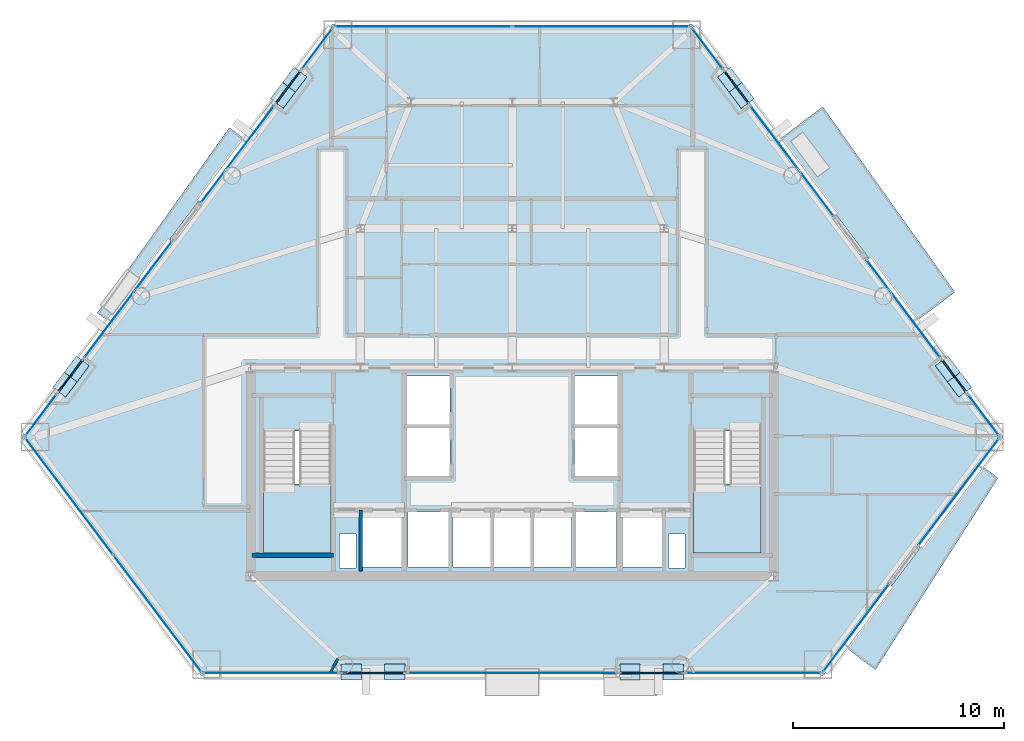
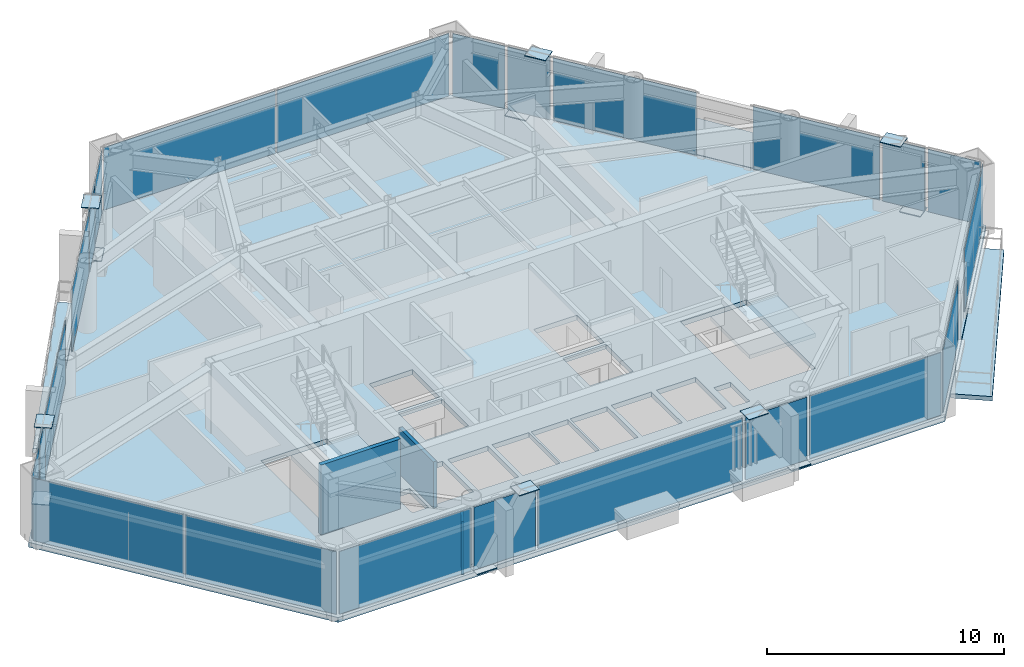
# One storey, part 5 of 11: 35 plates, 6 slabs, 3 walls, 23 elements without a shape of their own.
"""IFC4 building model written with IfcOpenShell, lengths in metres."""

from ifc_helpers import new_model, si_unit, direction, frame, frame_2d, origin, origin_2d, place, context, subcontext, project, spatial, polyline, rectangle, outline, extrude, source, transform, mapped, material, layer, layer_set, type_object, type_shapes, element, aggregate, save


model = new_model("IFC4")

# Units and contexts
model_context = context("Model", 3, precision=1e-05, world=origin(), true_north=direction((0.0, 1.0)))
body_context = subcontext(model_context, "Body", "Model", "MODEL_VIEW")
ifc_project = project(units=[si_unit("LENGTHUNIT", "METRE"), si_unit("AREAUNIT", "SQUARE_METRE"), si_unit("VOLUMEUNIT", "CUBIC_METRE"), si_unit("PLANEANGLEUNIT", "RADIAN"), si_unit("MASSUNIT", "GRAM", prefix="KILO")], contexts=[model_context])

# Site, building, storey
site_placement = place(None, origin())
site = spatial("IfcSite", under=ifc_project, at=site_placement, CompositionType="ELEMENT")
building_placement = place(site_placement, origin())
building = spatial("IfcBuilding", under=site, at=building_placement, Name="Talgorran Terracotta Tower", CompositionType="ELEMENT")
storey_placement = place(building_placement, frame((0.0, 0.0, 27.89990234375)))
storey = spatial("IfcBuildingStorey", under=building, at=storey_placement, Name="L06", CompositionType="ELEMENT", Elevation=27.89990234375)

# Plates
ifc_material_1 = material(Name="Steel Grade 350 (350L0)", Category="steel")
ifc_layer_1 = layer(ifc_material_1, 0.0400390625, Name="PL_CAP_MN05")
ifc_layer_set_1 = layer_set([ifc_layer_1], Name="Steel Grade 350 (350L0)")
plate_type_1 = type_object("IfcPlateType", Name="PL_CAP_MN05", PredefinedType="USERDEFINED", material=ifc_layer_set_1)
for number, where, z_axis, x_axis, name in (
    (1, (-7.631103515625, -18.639892578125, -0.010009765625), (0.0, 0.0, 1.0), (1.0, 0.0, 0.0), "L06 Diagonal Frame End Cap SWF Bot"),
    (2, (-5.57666015625, -18.639892578125, 3.320068359375), (0.0, 0.0, 1.0), (1.0, 0.0, 0.0), "L06 Diagonal Frame End Cap SWF Top"),
    (3, (7.631103515625, -18.639892578125, -0.010009765625), (0.0, 0.0, 1.0), (-1.0, 0.0, 0.0), "L06 Diagonal Frame End Cap SEF Bot"),
    (4, (5.57666015625, -18.639892578125, 3.320068359375), (0.0, 0.0, 1.0), (-1.0, 0.0, 0.0), "L06 Diagonal Frame End Cap SEF Top"),
    (5, (21.189453125, -4.985107421875, -0.010009765625), (0.0, 0.0, 1.0), (-0.601815023152, 0.798635510047, 0.0), "L06 Diagonal Frame End Cap NEL Bot"),
    (6, (20.64794921875, -4.2666015625, 3.320068359375), (0.0, 0.0, 1.0), (-0.601815023152, 0.798635510047, 0.0), "L06 Diagonal Frame End Cap NEL Top"),
    (7, (10.33056640625, 9.425048828125, -0.010009765625), (0.0, 0.0, 1.0), (0.601815023152, -0.798635510047, 0.0), "L06 Diagonal Frame End Cap NEU Bot"),
    (8, (10.8720703125, 8.70654296875, 3.320068359375), (0.0, 0.0, 1.0), (0.601815023152, -0.798635510047, 0.0), "L06 Diagonal Frame End Cap NEU Top"),
    (9, (-10.33056640625, 9.425048828125, -0.010009765625), (0.0, 0.0, 1.0), (-0.601815023152, -0.798635510047, 0.0), "L06 Diagonal Frame End Cap NWU Bot"),
    (10, (-10.8720703125, 8.70654296875, 3.320068359375), (0.0, 0.0, 1.0), (-0.601815023152, -0.798635510047, 0.0), "L06 Diagonal Frame End Cap NWU Top"),
    (11, (-21.189453125, -4.985107421875, -0.010009765625), (0.0, 0.0, 1.0), (0.601815023152, 0.798635510047, 0.0), "L06 Diagonal Frame End Cap NWL Bot"),
    (12, (-20.64794921875, -4.2666015625, 3.320068359375), (0.0, 0.0, 1.0), (0.601815023152, 0.798635510047, 0.0), "L06 Diagonal Frame End Cap NWL Top"),
):
    element("IfcPlate", number, at=place(storey_placement, frame(where, z_axis=z_axis, x_axis=x_axis)), inside=storey, type_object=plate_type_1, Name=name, ObjectType="CAP PLATE", PredefinedType="USERDEFINED", context=body_context, shape_type="SweptSolid", body=[
        extrude(rectangle(XDim=0.9599609375, YDim=0.760009765625, at=origin_2d()), origin(), (0.0, 0.0, 1.0), 0.0400390625),
    ])

# Slabs
ifc_material_2 = material(Name="Concrete C40/50", Category="concrete")
ifc_layer_2 = layer(ifc_material_2, 0.219970703125, Name="SL_BALCONY_220")
ifc_layer_set_2 = layer_set([ifc_layer_2], Name="Concrete C40/50")
slab_type_1 = type_object("IfcSlabType", Name="SL_BALCONY_220", PredefinedType="FLOOR", material=ifc_layer_set_2)
slab_1_placement = place(storey_placement, frame((0.0, 0.0, -0.219970703125)))
element("IfcSlab", 13, at=slab_1_placement, inside=storey, type_object=slab_type_1, Name="L06 Outdoor Wave Balcony BAL-NE", PredefinedType="FLOOR", context=body_context, shape_type="SweptSolid", body=[
    extrude(outline(polyline([(12.665771484375, 6.61669921875), (19.158203125, -1.998779296875), (20.98486328125, -0.622314453125), (14.718505859375, 8.16357421875), (12.665771484375, 6.61669921875)])), origin(), (0.0, 0.0, 1.0), 0.219970703125),
])
slab_2_placement = place(storey_placement, frame((0.0, 0.0, -0.219970703125)))
element("IfcSlab", 14, at=slab_2_placement, inside=storey, type_object=slab_type_1, Name="L06 Outdoor Wave Balcony BAL-NW", PredefinedType="FLOOR", context=body_context, shape_type="SweptSolid", body=[
    extrude(outline(polyline([(-19.158203125, -1.998779296875), (-12.665771484375, 6.61669921875), (-13.41064453125, 7.177978515625), (-19.677001953125, -1.607666015625), (-19.158203125, -1.998779296875)])), origin(), (0.0, 0.0, 1.0), 0.219970703125),
])
slab_3_placement = place(storey_placement, frame((0.0, 0.0, -0.219970703125)))
element("IfcSlab", 15, at=slab_3_placement, inside=storey, type_object=slab_type_1, Name="L06 Outdoor Wave Balcony BAL-SE", PredefinedType="FLOOR", context=body_context, shape_type="SweptSolid", body=[
    extrude(outline(polyline([(22.266845703125, -8.856689453125), (15.789794921875, -17.451904296875), (17.2138671875, -18.52490234375), (23.03076171875, -9.43212890625), (22.266845703125, -8.856689453125)])), origin(), (0.0, 0.0, 1.0), 0.219970703125),
])

# Stair, slab
stair_type = type_object("IfcStairType", Name="ST_FIRE_SCISSOR", PredefinedType="HALF_TURN_STAIR", material=ifc_material_2)
stair_1_placement = place(storey_placement, origin())
stair_1 = element("IfcStair", 16, at=stair_1_placement, inside=storey, type_object=stair_type, Name="L06 West Protected Fire Stair ST-01", PredefinedType="HALF_TURN_STAIR")
ifc_layer_3 = layer(ifc_material_2, 0.199951171875, Name="SL_LANDING_200")
ifc_layer_set_3 = layer_set([ifc_layer_3], Name="Concrete C40/50")
slab_type_2 = type_object("IfcSlabType", Name="SL_LANDING_200", PredefinedType="LANDING", material=ifc_layer_set_3)
slab_4_placement = place(storey_placement, frame((0.0, 0.0, 1.60009765625)))
slab_4 = element("IfcSlab", 17, at=slab_4_placement, type_object=slab_type_2, Name="ST-01 landing 1", PredefinedType="LANDING", context=body_context, shape_type="SweptSolid", body=[
    extrude(outline(polyline([(-11.800048828125, -9.719970703125), (-11.800048828125, -13.0), (-8.60009765625, -13.0), (-8.60009765625, -9.719970703125), (-11.800048828125, -9.719970703125)])), origin(), (0.0, 0.0, 1.0), 0.199951171875),
])
aggregate(stair_1, [slab_4])

stair_2_placement = place(storey_placement, origin())
stair_2 = element("IfcStair", 18, at=stair_2_placement, inside=storey, type_object=stair_type, Name="L06 East Protected Fire Stair ST-02", PredefinedType="HALF_TURN_STAIR")
slab_5_placement = place(storey_placement, frame((0.0, 0.0, 1.60009765625)))
slab_5 = element("IfcSlab", 19, at=slab_5_placement, type_object=slab_type_2, Name="ST-02 landing 1", PredefinedType="LANDING", context=body_context, shape_type="SweptSolid", body=[
    extrude(outline(polyline([(8.60009765625, -9.719970703125), (8.60009765625, -13.0), (11.800048828125, -13.0), (11.800048828125, -9.719970703125), (8.60009765625, -9.719970703125)])), origin(), (0.0, 0.0, 1.0), 0.199951171875),
])
aggregate(stair_2, [slab_5])

# Slab
ifc_layer_4 = layer(ifc_material_2, 0.264892578125, Name="SL_TOWER_265")
ifc_layer_set_4 = layer_set([ifc_layer_4], Name="Concrete C40/50")
slab_type_3 = type_object("IfcSlabType", Name="SL_TOWER_265", PredefinedType="FLOOR", material=ifc_layer_set_4)
slab_6_placement = place(storey_placement, frame((0.0, 0.0, -0.25)))
element("IfcSlab", 20, at=slab_6_placement, inside=storey, type_object=slab_type_3, Name="Storey L06 Structural Floor Slab", PredefinedType="FLOOR", context=body_context, shape_type="SweptSolid", body=[
    extrude(outline(polyline([(-23.277587890625, -7.490478515625), (-14.755126953125, -18.800048828125), (14.755126953125, -18.800048828125), (23.277587890625, -7.490478515625), (8.5224609375, 12.09033203125), (-8.5224609375, 12.09033203125), (-23.277587890625, -7.490478515625)]), holes=[polyline([(-11.800048828125, -7.199951171875), (-11.800048828125, -13.0), (-8.60009765625, -13.0), (-8.60009765625, -7.199951171875), (-11.800048828125, -7.199951171875)]), polyline([(8.60009765625, -7.199951171875), (8.60009765625, -13.0), (11.800048828125, -13.0), (11.800048828125, -7.199951171875), (8.60009765625, -7.199951171875)]), polyline([(-7.10009765625, -13.64990234375), (-5.199951171875, -13.64990234375), (-5.199951171875, -11.050048828125), (-7.10009765625, -11.050048828125), (-7.10009765625, -13.64990234375)]), polyline([(5.199951171875, -13.64990234375), (7.10009765625, -13.64990234375), (7.10009765625, -11.050048828125), (5.199951171875, -11.050048828125), (5.199951171875, -13.64990234375)]), polyline([(3.0, -13.64990234375), (4.949951171875, -13.64990234375), (4.949951171875, -11.050048828125), (3.0, -11.050048828125), (3.0, -13.64990234375)]), polyline([(-4.949951171875, -13.64990234375), (-3.0, -13.64990234375), (-3.0, -11.050048828125), (-4.949951171875, -11.050048828125), (-4.949951171875, -13.64990234375)]), polyline([(-5.050048828125, -9.35009765625), (-2.949951171875, -9.35009765625), (-2.949951171875, -7.050048828125), (-5.050048828125, -7.050048828125), (-5.050048828125, -9.35009765625)]), polyline([(-5.050048828125, -6.89990234375), (-2.949951171875, -6.89990234375), (-2.949951171875, -4.60009765625), (-5.050048828125, -4.60009765625), (-5.050048828125, -6.89990234375)]), polyline([(2.949951171875, -9.35009765625), (5.050048828125, -9.35009765625), (5.050048828125, -7.050048828125), (2.949951171875, -7.050048828125), (2.949951171875, -9.35009765625)]), polyline([(2.949951171875, -6.89990234375), (5.050048828125, -6.89990234375), (5.050048828125, -4.60009765625), (2.949951171875, -4.60009765625), (2.949951171875, -6.89990234375)]), polyline([(-2.800048828125, -13.64990234375), (-1.0, -13.64990234375), (-1.0, -11.050048828125), (-2.800048828125, -11.050048828125), (-2.800048828125, -13.64990234375)]), polyline([(-0.89990234375, -13.64990234375), (0.89990234375, -13.64990234375), (0.89990234375, -11.050048828125), (-0.89990234375, -11.050048828125), (-0.89990234375, -13.64990234375)]), polyline([(1.0, -13.64990234375), (2.800048828125, -13.64990234375), (2.800048828125, -11.050048828125), (1.0, -11.050048828125), (1.0, -13.64990234375)]), polyline([(-8.199951171875, -13.699951171875), (-7.39990234375, -13.699951171875), (-7.39990234375, -12.10009765625), (-8.199951171875, -12.10009765625), (-8.199951171875, -13.699951171875)]), polyline([(7.39990234375, -13.699951171875), (8.199951171875, -13.699951171875), (8.199951171875, -12.10009765625), (7.39990234375, -12.10009765625), (7.39990234375, -13.699951171875)])]), origin(), (0.0, 0.0, 1.0), 0.25),
])

# Curtain wall, plates
ifc_material_3 = material(Name="Unitised Low-E Double Glazing", Category="glass")
ifc_layer_5 = layer(ifc_material_3, 0.199951171875, Name="CW_SYS2_RES_LOW")
ifc_layer_set_5 = layer_set([ifc_layer_5], Name="Unitised Low-E Double Glazing")
curtain_wall_type = type_object("IfcCurtainWallType", Name="CW_SYS2_RES_LOW", PredefinedType="NOTDEFINED", material=ifc_layer_set_5)
curtain_wall_1_placement = place(storey_placement, origin())
curtain_wall_1 = element("IfcCurtainWall", 21, at=curtain_wall_1_placement, inside=storey, type_object=curtain_wall_type, Name="CW-L06-F0", PredefinedType="NOTDEFINED")
ifc_material_4 = material(Name="Low-E Laminated Vision Glass", Category="glass")
ifc_layer_6 = layer(ifc_material_4, 0.028076171875, Name="PLT_VISION_28")
ifc_layer_set_6 = layer_set([ifc_layer_6], Name="Low-E Laminated Vision Glass")
plate_type_2 = type_object("IfcPlateType", Name="PLT_VISION_28", PredefinedType="CURTAIN_PANEL", material=ifc_layer_set_6)
shared_shape_1 = source(origin(), body_context, "Body", "SweptSolid", [
    extrude(rectangle(XDim=6.907958984375, YDim=0.028076171875, at=origin_2d()), origin(), (0.0, 0.0, 1.0), 3.219970703125),
])
plate_1_placement = place(storey_placement, frame((-21.009521484375, -10.30078125, 0.06494140625), z_axis=(0.0, 0.0, 1.0), x_axis=(0.60181190941, -0.79863785641, 0.0)))
plate_1 = element("IfcPlate", 22, at=plate_1_placement, type_object=plate_type_2, Name="CW-L06-0 panel 1.1", PredefinedType="CURTAIN_PANEL", context=body_context, shape_type="MappedRepresentation", body=[
    mapped(shared_shape_1, transform((0.0, 0.0, 0.0), scale=1.0)),
])
plate_2_placement = place(storey_placement, frame((-16.813232421875, -15.86962890625, 0.06494140625), z_axis=(0.0, 0.0, 1.0), x_axis=(0.60181190941, -0.79863785641, 0.0)))
plate_2 = element("IfcPlate", 23, at=plate_2_placement, type_object=plate_type_2, Name="CW-L06-0 panel 2.1", PredefinedType="CURTAIN_PANEL", context=body_context, shape_type="MappedRepresentation", body=[
    mapped(shared_shape_1, transform((0.0, 0.0, 0.0), scale=1.0)),
])
aggregate(curtain_wall_1, [plate_1, plate_2])

curtain_wall_2_placement = place(storey_placement, origin())
curtain_wall_2 = element("IfcCurtainWall", 24, at=curtain_wall_2_placement, inside=storey, type_object=curtain_wall_type, Name="CW-L06-F4", PredefinedType="NOTDEFINED")
shared_shape_2 = source(origin(), body_context, "Body", "SweptSolid", [
    extrude(rectangle(XDim=8.364990234375, YDim=0.028076171875, at=origin_2d()), origin(), (0.0, 0.0, 1.0), 3.219970703125),
])
plate_3_placement = place(storey_placement, frame((4.215087890625, 11.970458984375, 0.06494140625), z_axis=(0.0, 0.0, 1.0), x_axis=(-1.0, 0.0, 0.0)))
plate_3 = element("IfcPlate", 25, at=plate_3_placement, type_object=plate_type_2, Name="CW-L06-4 panel 1.1", PredefinedType="CURTAIN_PANEL", context=body_context, shape_type="MappedRepresentation", body=[
    mapped(shared_shape_2, transform((0.0, 0.0, 0.0), scale=1.0)),
])
plate_4_placement = place(storey_placement, frame((-4.215087890625, 11.970458984375, 0.06494140625), z_axis=(0.0, 0.0, 1.0), x_axis=(-1.0, 0.0, 0.0)))
plate_4 = element("IfcPlate", 26, at=plate_4_placement, type_object=plate_type_2, Name="CW-L06-4 panel 2.1", PredefinedType="CURTAIN_PANEL", context=body_context, shape_type="MappedRepresentation", body=[
    mapped(shared_shape_2, transform((0.0, 0.0, 0.0), scale=1.0)),
])
aggregate(curtain_wall_2, [plate_3, plate_4])

# Curtain wall, plate
curtain_wall_3_placement = place(storey_placement, origin())
curtain_wall_3 = element("IfcCurtainWall", 27, at=curtain_wall_3_placement, inside=storey, type_object=curtain_wall_type, Name="CW-L06-F1", PredefinedType="NOTDEFINED")
shared_shape_3 = source(origin(), body_context, "Body", "SweptSolid", [
    extrude(rectangle(XDim=6.39404296875, YDim=0.028076171875, at=origin_2d()), origin(), (0.0, 0.0, 1.0), 3.219970703125),
])
plate_5_placement = place(storey_placement, frame((-11.433349609375, -18.679931640625, 0.06494140625), z_axis=(0.0, 0.0, 1.0), x_axis=(1.0, 0.0, 0.0)))
plate_5 = element("IfcPlate", 28, at=plate_5_placement, type_object=plate_type_2, Name="CW-L06-1 panel 1.1", PredefinedType="CURTAIN_PANEL", context=body_context, shape_type="MappedRepresentation", body=[
    mapped(shared_shape_3, transform((0.0, 0.0, 0.0), scale=1.0)),
])
aggregate(curtain_wall_3, [plate_5])

curtain_wall_4_placement = place(storey_placement, origin())
curtain_wall_4 = element("IfcCurtainWall", 29, at=curtain_wall_4_placement, inside=storey, type_object=curtain_wall_type, Name="CW-L06-F1E", PredefinedType="NOTDEFINED")
plate_6_placement = place(storey_placement, frame((11.433349609375, -18.679931640625, 0.06494140625), z_axis=(0.0, 0.0, 1.0), x_axis=(1.0, 0.0, 0.0)))
plate_6 = element("IfcPlate", 30, at=plate_6_placement, type_object=plate_type_2, Name="CW-L06-1E panel 1.1", PredefinedType="CURTAIN_PANEL", context=body_context, shape_type="MappedRepresentation", body=[
    mapped(shared_shape_3, transform((0.0, 0.0, 0.0), scale=1.0)),
])
aggregate(curtain_wall_4, [plate_6])

curtain_wall_5_placement = place(storey_placement, origin())
curtain_wall_5 = element("IfcCurtainWall", 31, at=curtain_wall_5_placement, inside=storey, type_object=curtain_wall_type, Name="CW-L06-F1B", PredefinedType="NOTDEFINED")
ifc_material_5 = material(Name="Terracotta Insulated Spandrel", Category="masonry")
ifc_layer_7 = layer(ifc_material_5, 0.06494140625, Name="PLT_SPANDREL_TERRA")
ifc_layer_set_7 = layer_set([ifc_layer_7], Name="Terracotta Insulated Spandrel")
plate_type_3 = type_object("IfcPlateType", Name="PLT_SPANDREL_TERRA", PredefinedType="SHEET", material=ifc_layer_set_7)
shared_shape_4 = source(origin(), body_context, "Body", "SweptSolid", [
    extrude(rectangle(XDim=2.984619140625, YDim=0.06494140625, at=origin_2d()), origin(), (0.0, 0.0, 1.0), 3.219970703125),
])
plate_7_placement = place(storey_placement, frame((-6.60400390625, -18.679931640625, 0.06494140625), z_axis=(0.0, 0.0, 1.0), x_axis=(1.0, 0.0, 0.0)))
plate_7 = element("IfcPlate", 32, at=plate_7_placement, type_object=plate_type_3, Name="CW-L06-1B panel 1.1", PredefinedType="CURTAIN_PANEL", context=body_context, shape_type="MappedRepresentation", body=[
    mapped(shared_shape_4, transform((0.0, 0.0, 0.0), scale=1.0)),
])
aggregate(curtain_wall_5, [plate_7])

curtain_wall_6_placement = place(storey_placement, origin())
curtain_wall_6 = element("IfcCurtainWall", 33, at=curtain_wall_6_placement, inside=storey, type_object=curtain_wall_type, Name="CW-L06-F1D", PredefinedType="NOTDEFINED")
plate_8_placement = place(storey_placement, frame((6.60400390625, -18.679931640625, 0.06494140625), z_axis=(0.0, 0.0, 1.0), x_axis=(1.0, 0.0, 0.0)))
plate_8 = element("IfcPlate", 34, at=plate_8_placement, type_object=plate_type_3, Name="CW-L06-1D panel 1.1", PredefinedType="CURTAIN_PANEL", context=body_context, shape_type="MappedRepresentation", body=[
    mapped(shared_shape_4, transform((0.0, 0.0, 0.0), scale=1.0)),
])
aggregate(curtain_wall_6, [plate_8])

curtain_wall_7_placement = place(storey_placement, origin())
curtain_wall_7 = element("IfcCurtainWall", 35, at=curtain_wall_7_placement, inside=storey, type_object=curtain_wall_type, Name="CW-L06-F1C", PredefinedType="NOTDEFINED")
shared_shape_5 = source(origin(), body_context, "Body", "SweptSolid", [
    extrude(rectangle(XDim=9.943115234375, YDim=0.028076171875, at=origin_2d()), origin(), (0.0, 0.0, 1.0), 3.219970703125),
])
plate_9_placement = place(storey_placement, frame((0.0, -18.679931640625, 0.06494140625), z_axis=(0.0, 0.0, 1.0), x_axis=(1.0, 0.0, 0.0)))
plate_9 = element("IfcPlate", 36, at=plate_9_placement, type_object=plate_type_2, Name="CW-L06-1C panel 1.1", PredefinedType="CURTAIN_PANEL", context=body_context, shape_type="MappedRepresentation", body=[
    mapped(shared_shape_5, transform((0.0, 0.0, 0.0), scale=1.0)),
])
aggregate(curtain_wall_7, [plate_9])

curtain_wall_8_placement = place(storey_placement, origin())
curtain_wall_8 = element("IfcCurtainWall", 37, at=curtain_wall_8_placement, inside=storey, type_object=curtain_wall_type, Name="CW-L06-F30", PredefinedType="NOTDEFINED")
shared_shape_6 = source(origin(), body_context, "Body", "SweptSolid", [
    extrude(rectangle(XDim=5.17333984375, YDim=0.028076171875, at=origin_2d()), origin(), (0.0, 0.0, 1.0), 3.219970703125),
])
plate_10_placement = place(storey_placement, frame((16.315185546875, -16.5302734375, 0.06494140625), z_axis=(0.0, 0.0, 1.0), x_axis=(0.601805620764, 0.798642595168, 0.0)))
plate_10 = element("IfcPlate", 38, at=plate_10_placement, type_object=plate_type_2, Name="CW-L06-30 panel 1.1", PredefinedType="CURTAIN_PANEL", context=body_context, shape_type="MappedRepresentation", body=[
    mapped(shared_shape_6, transform((0.0, 0.0, 0.0), scale=1.0)),
])
aggregate(curtain_wall_8, [plate_10])

curtain_wall_9_placement = place(storey_placement, origin())
curtain_wall_9 = element("IfcCurtainWall", 39, at=curtain_wall_9_placement, inside=storey, type_object=curtain_wall_type, Name="CW-L06-F31", PredefinedType="NOTDEFINED")
shared_shape_7 = source(origin(), body_context, "Body", "SweptSolid", [
    extrude(rectangle(XDim=6.33740234375, YDim=0.028076171875, at=origin_2d()), origin(), (0.0, 0.0, 1.0), 3.219970703125),
])
plate_11_placement = place(storey_placement, frame((21.156982421875, -10.10498046875, 0.06494140625), z_axis=(0.0, 0.0, 1.0), x_axis=(0.601809364408, 0.798639774185, 0.0)))
plate_11 = element("IfcPlate", 40, at=plate_11_placement, type_object=plate_type_2, Name="CW-L06-31 panel 1.1", PredefinedType="CURTAIN_PANEL", context=body_context, shape_type="MappedRepresentation", body=[
    mapped(shared_shape_7, transform((0.0, 0.0, 0.0), scale=1.0)),
])
aggregate(curtain_wall_9, [plate_11])

curtain_wall_10_placement = place(storey_placement, origin())
curtain_wall_10 = element("IfcCurtainWall", 41, at=curtain_wall_10_placement, inside=storey, type_object=curtain_wall_type, Name="CW-L06-F40", PredefinedType="NOTDEFINED")
shared_shape_8 = source(origin(), body_context, "Body", "SweptSolid", [
    extrude(rectangle(XDim=2.406982421875, YDim=0.028076171875, at=origin_2d()), origin(), (0.0, 0.0, 1.0), 3.219970703125),
])
plate_12_placement = place(storey_placement, frame((22.33984375, -6.4453125, 0.06494140625), z_axis=(0.0, 0.0, 1.0), x_axis=(-0.601802147187, 0.79864521262, 0.0)))
plate_12 = element("IfcPlate", 42, at=plate_12_placement, type_object=plate_type_2, Name="CW-L06-40 panel 1.1", PredefinedType="CURTAIN_PANEL", context=body_context, shape_type="MappedRepresentation", body=[
    mapped(shared_shape_8, transform((0.0, 0.0, 0.0), scale=1.0)),
])
aggregate(curtain_wall_10, [plate_12])

curtain_wall_11_placement = place(storey_placement, origin())
curtain_wall_11 = element("IfcCurtainWall", 43, at=curtain_wall_11_placement, inside=storey, type_object=curtain_wall_type, Name="CW-L06-F61C", PredefinedType="NOTDEFINED")
plate_13_placement = place(storey_placement, frame((-22.33984375, -6.4453125, 0.06494140625), z_axis=(0.0, 0.0, 1.0), x_axis=(-0.601802147187, -0.79864521262, 0.0)))
plate_13 = element("IfcPlate", 44, at=plate_13_placement, type_object=plate_type_2, Name="CW-L06-61C panel 1.1", PredefinedType="CURTAIN_PANEL", context=body_context, shape_type="MappedRepresentation", body=[
    mapped(shared_shape_8, transform((0.0, 0.0, 0.0), scale=1.0)),
])
aggregate(curtain_wall_11, [plate_13])

curtain_wall_12_placement = place(storey_placement, origin())
curtain_wall_12 = element("IfcCurtainWall", 45, at=curtain_wall_12_placement, inside=storey, type_object=curtain_wall_type, Name="CW-L06-F40B", PredefinedType="NOTDEFINED")
shared_shape_9 = source(origin(), body_context, "Body", "SweptSolid", [
    extrude(rectangle(XDim=1.929931640625, YDim=0.06494140625, at=origin_2d()), origin(), (0.0, 0.0, 1.0), 3.219970703125),
])
plate_14_placement = place(storey_placement, frame((20.950439453125, -4.601806640625, 0.06494140625), z_axis=(0.0, 0.0, 1.0), x_axis=(-0.601823764791, 0.798628922675, 0.0)))
plate_14 = element("IfcPlate", 46, at=plate_14_placement, type_object=plate_type_3, Name="CW-L06-40B panel 1.1", PredefinedType="CURTAIN_PANEL", context=body_context, shape_type="MappedRepresentation", body=[
    mapped(shared_shape_9, transform((0.0, 0.0, 0.0), scale=1.0)),
])
aggregate(curtain_wall_12, [plate_14])

curtain_wall_13_placement = place(storey_placement, origin())
curtain_wall_13 = element("IfcCurtainWall", 47, at=curtain_wall_13_placement, inside=storey, type_object=curtain_wall_type, Name="CW-L06-F41B", PredefinedType="NOTDEFINED")
plate_15_placement = place(storey_placement, frame((10.63330078125, 9.08984375, 0.06494140625), z_axis=(0.0, 0.0, 1.0), x_axis=(-0.601847098245, 0.798611338721, 0.0)))
plate_15 = element("IfcPlate", 48, at=plate_15_placement, type_object=plate_type_3, Name="CW-L06-41B panel 1.1", PredefinedType="CURTAIN_PANEL", context=body_context, shape_type="MappedRepresentation", body=[
    mapped(shared_shape_9, transform((0.0, 0.0, 0.0), scale=1.0)),
])
aggregate(curtain_wall_13, [plate_15])

curtain_wall_14_placement = place(storey_placement, origin())
curtain_wall_14 = element("IfcCurtainWall", 49, at=curtain_wall_14_placement, inside=storey, type_object=curtain_wall_type, Name="CW-L06-F61B", PredefinedType="NOTDEFINED")
plate_16_placement = place(storey_placement, frame((-20.950439453125, -4.601806640625, 0.06494140625), z_axis=(0.0, 0.0, 1.0), x_axis=(-0.601792800441, -0.798652255577, 0.0)))
plate_16 = element("IfcPlate", 50, at=plate_16_placement, type_object=plate_type_3, Name="CW-L06-61B panel 1.1", PredefinedType="CURTAIN_PANEL", context=body_context, shape_type="MappedRepresentation", body=[
    mapped(shared_shape_9, transform((0.0, 0.0, 0.0), scale=1.0)),
])
aggregate(curtain_wall_14, [plate_16])

curtain_wall_15_placement = place(storey_placement, origin())
curtain_wall_15 = element("IfcCurtainWall", 51, at=curtain_wall_15_placement, inside=storey, type_object=curtain_wall_type, Name="CW-L06-F40C", PredefinedType="NOTDEFINED")
shared_shape_10 = source(origin(), body_context, "Body", "SweptSolid", [
    extrude(rectangle(XDim=5.794677734375, YDim=0.028076171875, at=origin_2d()), origin(), (0.0, 0.0, 1.0), 3.219970703125),
])
plate_17_placement = place(storey_placement, frame((18.5419921875, -1.4052734375, 0.06494140625), z_axis=(0.0, 0.0, 1.0), x_axis=(-0.6018051513, 0.798642948926, 0.0)))
plate_17 = element("IfcPlate", 52, at=plate_17_placement, type_object=plate_type_2, Name="CW-L06-40C panel 1.1", PredefinedType="CURTAIN_PANEL", context=body_context, shape_type="MappedRepresentation", body=[
    mapped(shared_shape_10, transform((0.0, 0.0, 0.0), scale=1.0)),
])
aggregate(curtain_wall_15, [plate_17])

curtain_wall_16_placement = place(storey_placement, origin())
curtain_wall_16 = element("IfcCurtainWall", 53, at=curtain_wall_16_placement, inside=storey, type_object=curtain_wall_type, Name="CW-L06-F41", PredefinedType="NOTDEFINED")
shared_shape_11 = source(origin(), body_context, "Body", "SweptSolid", [
    extrude(rectangle(XDim=6.54931640625, YDim=0.028076171875, at=origin_2d()), origin(), (0.0, 0.0, 1.0), 3.219970703125),
])
plate_18_placement = place(storey_placement, frame((13.268798828125, 5.59228515625, 0.06494140625), z_axis=(0.0, 0.0, 1.0), x_axis=(-0.601807061924, 0.798641509201, 0.0)))
plate_18 = element("IfcPlate", 54, at=plate_18_placement, type_object=plate_type_2, Name="CW-L06-41 panel 1.1", PredefinedType="CURTAIN_PANEL", context=body_context, shape_type="MappedRepresentation", body=[
    mapped(shared_shape_11, transform((0.0, 0.0, 0.0), scale=1.0)),
])
aggregate(curtain_wall_16, [plate_18])

curtain_wall_17_placement = place(storey_placement, origin())
curtain_wall_17 = element("IfcCurtainWall", 55, at=curtain_wall_17_placement, inside=storey, type_object=curtain_wall_type, Name="CW-L06-F41C", PredefinedType="NOTDEFINED")
shared_shape_12 = source(origin(), body_context, "Body", "SweptSolid", [
    extrude(rectangle(XDim=2.39697265625, YDim=0.028076171875, at=origin_2d()), origin(), (0.0, 0.0, 1.0), 3.219970703125),
])
plate_19_placement = place(storey_placement, frame((9.2470703125, 10.929443359375, 0.06494140625), z_axis=(0.0, 0.0, 1.0), x_axis=(-0.601803051618, 0.798644531105, 0.0)))
plate_19 = element("IfcPlate", 56, at=plate_19_placement, type_object=plate_type_2, Name="CW-L06-41C panel 1.1", PredefinedType="CURTAIN_PANEL", context=body_context, shape_type="MappedRepresentation", body=[
    mapped(shared_shape_12, transform((0.0, 0.0, 0.0), scale=1.0)),
])
aggregate(curtain_wall_17, [plate_19])

curtain_wall_18_placement = place(storey_placement, origin())
curtain_wall_18 = element("IfcCurtainWall", 57, at=curtain_wall_18_placement, inside=storey, type_object=curtain_wall_type, Name="CW-L06-F60", PredefinedType="NOTDEFINED")
plate_20_placement = place(storey_placement, frame((-9.2470703125, 10.929443359375, 0.06494140625), z_axis=(0.0, 0.0, 1.0), x_axis=(-0.601803051618, -0.798644531105, 0.0)))
plate_20 = element("IfcPlate", 58, at=plate_20_placement, type_object=plate_type_2, Name="CW-L06-60 panel 1.1", PredefinedType="CURTAIN_PANEL", context=body_context, shape_type="MappedRepresentation", body=[
    mapped(shared_shape_12, transform((0.0, 0.0, 0.0), scale=1.0)),
])
aggregate(curtain_wall_18, [plate_20])

curtain_wall_19_placement = place(storey_placement, origin())
curtain_wall_19 = element("IfcCurtainWall", 59, at=curtain_wall_19_placement, inside=storey, type_object=curtain_wall_type, Name="CW-L06-F60B", PredefinedType="NOTDEFINED")
shared_shape_13 = source(origin(), body_context, "Body", "SweptSolid", [
    extrude(rectangle(XDim=1.9296875, YDim=0.06494140625, at=origin_2d()), origin(), (0.0, 0.0, 1.0), 3.219970703125),
])
type_shapes(plate_type_3, [shared_shape_4, shared_shape_9, shared_shape_13])
plate_21_placement = place(storey_placement, frame((-10.63330078125, 9.08984375, 0.06494140625), z_axis=(0.0, 0.0, 1.0), x_axis=(-0.601816134061, -0.798634672916, 0.0)))
plate_21 = element("IfcPlate", 60, at=plate_21_placement, type_object=plate_type_3, Name="CW-L06-60B panel 1.1", PredefinedType="CURTAIN_PANEL", context=body_context, shape_type="MappedRepresentation", body=[
    mapped(shared_shape_13, transform((0.0, 0.0, 0.0), scale=1.0)),
])
aggregate(curtain_wall_19, [plate_21])

curtain_wall_20_placement = place(storey_placement, origin())
curtain_wall_20 = element("IfcCurtainWall", 61, at=curtain_wall_20_placement, inside=storey, type_object=curtain_wall_type, Name="CW-L06-F60C", PredefinedType="NOTDEFINED")
shared_shape_14 = source(origin(), body_context, "Body", "SweptSolid", [
    extrude(rectangle(XDim=5.7431640625, YDim=0.028076171875, at=origin_2d()), origin(), (0.0, 0.0, 1.0), 3.219970703125),
])
plate_22_placement = place(storey_placement, frame((-13.0263671875, 5.9140625, 0.06494140625), z_axis=(0.0, 0.0, 1.0), x_axis=(-0.601801923146, -0.798645381442, 0.0)))
plate_22 = element("IfcPlate", 62, at=plate_22_placement, type_object=plate_type_2, Name="CW-L06-60C panel 1.1", PredefinedType="CURTAIN_PANEL", context=body_context, shape_type="MappedRepresentation", body=[
    mapped(shared_shape_14, transform((0.0, 0.0, 0.0), scale=1.0)),
])
aggregate(curtain_wall_20, [plate_22])

curtain_wall_21_placement = place(storey_placement, origin())
curtain_wall_21 = element("IfcCurtainWall", 63, at=curtain_wall_21_placement, inside=storey, type_object=curtain_wall_type, Name="CW-L06-F61", PredefinedType="NOTDEFINED")
shared_shape_15 = source(origin(), body_context, "Body", "SweptSolid", [
    extrude(rectangle(XDim=6.90087890625, YDim=0.028076171875, at=origin_2d()), origin(), (0.0, 0.0, 1.0), 3.219970703125),
])
type_shapes(plate_type_2, [shared_shape_1, shared_shape_2, shared_shape_3, shared_shape_5, shared_shape_6, shared_shape_7, shared_shape_8, shared_shape_10, shared_shape_11, shared_shape_12, shared_shape_14, shared_shape_15])
plate_23_placement = place(storey_placement, frame((-18.208984375, -0.9638671875, 0.06494140625), z_axis=(0.0, 0.0, 1.0), x_axis=(-0.601807643553, -0.798641070921, 0.0)))
plate_23 = element("IfcPlate", 64, at=plate_23_placement, type_object=plate_type_2, Name="CW-L06-61 panel 1.1", PredefinedType="CURTAIN_PANEL", context=body_context, shape_type="MappedRepresentation", body=[
    mapped(shared_shape_15, transform((0.0, 0.0, 0.0), scale=1.0)),
])
aggregate(curtain_wall_21, [plate_23])

# Walls
ifc_material_6 = material(Name="Concrete C50/60", Category="concrete")
ifc_layer_8 = layer(ifc_material_6, 0.199951171875, Name="WT_CORE_200")
ifc_layer_set_8 = layer_set([ifc_layer_8], Name="Concrete C50/60")
wall_type_1 = type_object("IfcWallType", Name="WT_CORE_200", PredefinedType="SOLIDWALL", material=ifc_layer_set_8)
wall_1_placement = place(storey_placement, frame((-12.35009765625, -13.10009765625, 0.0), z_axis=(0.0, 0.0, 1.0), x_axis=(1.0, 0.0, 0.0)))
element("IfcWall", 65, at=wall_1_placement, inside=storey, type_object=wall_type_1, Name="WL-L06-CW-ST1-S", PredefinedType="SOLIDWALL", context=body_context, shape_type="SweptSolid", body=[
    extrude(rectangle(XDim=3.8701171875, YDim=0.199951171875, at=frame_2d((1.93505859375, 0.0))), origin(), (0.0, 0.0, 1.0), 3.60009765625),
])
ifc_material_7 = material(Name="Insulated Steel Stud Plasterboard", Category="steel")
ifc_layer_9 = layer(ifc_material_7, 0.1201171875, Name="WT_PART_120")
ifc_layer_set_9 = layer_set([ifc_layer_9], Name="Insulated Steel Stud Plasterboard")
wall_type_2 = type_object("IfcWallType", Name="WT_PART_120", PredefinedType="PARTITIONING", material=ifc_layer_set_9)
wall_2_placement = place(storey_placement, frame((-8.622314453125, -18.669921875, 0.0), z_axis=(0.0, 0.0, 1.0), x_axis=(0.464175849306, 0.885743067103, 0.0)))
element("IfcWall", 66, at=wall_2_placement, inside=storey, type_object=wall_type_2, Name="WL-L06-BW-L06-03", PredefinedType="PARTITIONING", context=body_context, shape_type="SweptSolid", body=[
    extrude(rectangle(XDim=0.75634765625, YDim=0.1201171875, at=frame_2d((0.378173828125, 0.0))), origin(), (0.0, 0.0, 1.0), 2.71337890625),
])
ifc_material_8 = material(Name="Fire-Rated Shaftwall")
ifc_layer_10 = layer(ifc_material_8, 0.159912109375, Name="WT_PART_150")
ifc_layer_set_10 = layer_set([ifc_layer_10], Name="Fire-Rated Shaftwall")
wall_type_3 = type_object("IfcWallType", Name="WT_PART_150", PredefinedType="PARTITIONING", material=ifc_layer_set_10)
wall_3_placement = place(storey_placement, frame((-7.179931640625, -13.85009765625, 0.0), z_axis=(0.0, 0.0, 1.0), x_axis=(0.0, 1.0, 0.0)))
element("IfcWall", 67, at=wall_3_placement, inside=storey, type_object=wall_type_3, Name="WL-L06-CW-RSW", PredefinedType="PARTITIONING", context=body_context, shape_type="SweptSolid", body=[
    extrude(rectangle(XDim=2.900146484375, YDim=0.159912109375, at=frame_2d((1.4501953125, 0.0))), origin(), (0.0, 0.0, 1.0), 2.375),
])

save(model, "model.ifc")
